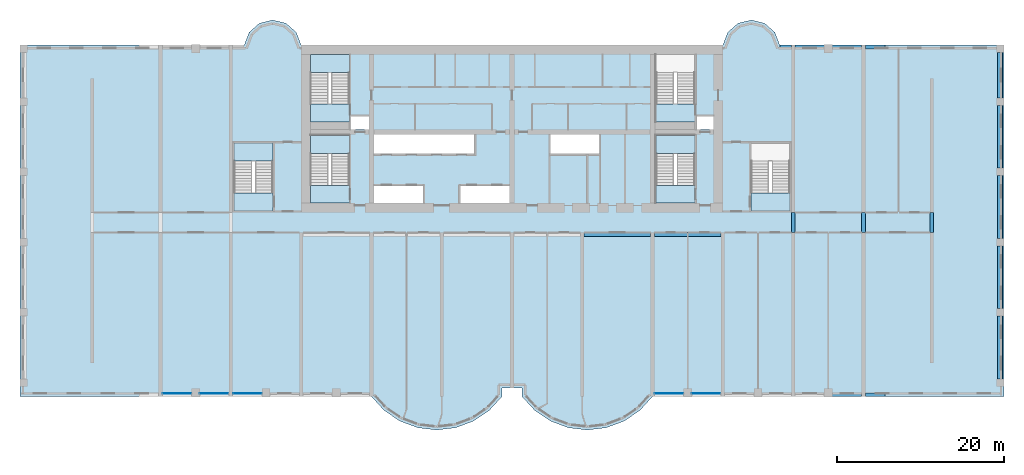
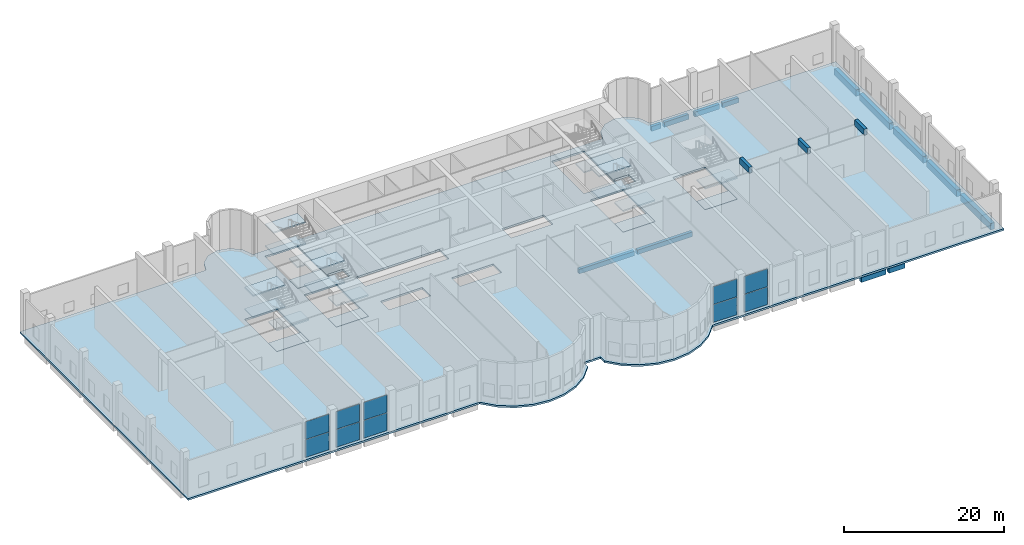
# One storey, part 5 of 15: 20 slabs, 16 beams, 10 plates, 11 elements without a shape of their own.
"""IFC4 building model written with IfcOpenShell, lengths in metres."""

from ifc_helpers import new_model, si_unit, direction, frame, origin, origin_2d, place, context, subcontext, project, spatial, polyline, rectangle, outline, extrude, source, transform, mapped, material, layer, layer_set, material_profile, profile_set, type_object, element, aggregate, save


model = new_model("IFC4")

# Units and contexts
model_context = context("Model", 3, precision=1e-05, world=origin(), true_north=direction((0.0, 1.0)))
body_context = subcontext(model_context, "Body", "Model", "MODEL_VIEW")
ifc_project = project(units=[si_unit("LENGTHUNIT", "METRE"), si_unit("AREAUNIT", "SQUARE_METRE"), si_unit("VOLUMEUNIT", "CUBIC_METRE"), si_unit("PLANEANGLEUNIT", "RADIAN"), si_unit("MASSUNIT", "GRAM", prefix="KILO")], contexts=[model_context])

# Site, building, storey
site_placement = place(None, origin())
site = spatial("IfcSite", under=ifc_project, at=site_placement, CompositionType="ELEMENT")
building_placement = place(site_placement, origin())
building = spatial("IfcBuilding", under=site, at=building_placement, Name="Vanashikhar Sky Hotel", CompositionType="ELEMENT")
storey_placement = place(building_placement, frame((0.0, 0.0, 11.39990234375)))
storey = spatial("IfcBuildingStorey", under=building, at=storey_placement, Name="L02", CompositionType="ELEMENT", Elevation=11.39990234375)

# Beams
ifc_material_1 = material(Name="Concrete M50", Category="concrete")
ifc_material_profile_1 = material_profile(ifc_material_1, rectangle(XDim=0.449951171875, YDim=0.89990234375, at=origin_2d()))
ifc_profile_set_1 = profile_set([ifc_material_profile_1], Name="RC 450x900 beam Concrete M50")
beam_type_1 = type_object("IfcBeamType", Name="RC 450x900 beam Concrete M50", PredefinedType="LINTEL", material=ifc_profile_set_1)
shared_shape_1 = source(origin(), body_context, "Body", "SweptSolid", [
    extrude(rectangle(XDim=0.449951171875, YDim=0.89990234375, at=origin_2d()), origin(), (0.0, 0.0, 1.0), 2.39990234375),
])
for number, where, z_axis, x_axis, name in (
    (1, (84.0, 19.60009765625, 5.8701171875), (0.0, 1.0, 0.0), (-1.0, 0.0, 0.0), "LB-L02-XW11"),
    (2, (92.39990234375, 19.60009765625, 5.8701171875), (0.0, 1.0, 0.0), (-1.0, 0.0, 0.0), "LB-L02-XW12"),
    (3, (100.574951171875, 19.60009765625, 5.8701171875), (0.0, 1.0, 0.0), (-1.0, 0.0, 0.0), "LB-L02-XW13"),
):
    element("IfcBeam", number, at=place(storey_placement, frame(where, z_axis=z_axis, x_axis=x_axis)), inside=storey, type_object=beam_type_1, Name=name, PredefinedType="LINTEL", context=body_context, shape_type="MappedRepresentation", body=[
        mapped(shared_shape_1, transform((0.0, 0.0, 0.0), scale=1.0)),
    ])
ifc_material_profile_2 = material_profile(ifc_material_1, rectangle(XDim=0.449951171875, YDim=0.75, at=origin_2d()))
ifc_profile_set_2 = profile_set([ifc_material_profile_2], Name="RC 450x750 beam Concrete M50")
beam_type_2 = type_object("IfcBeamType", Name="RC 450x750 beam Concrete M50", PredefinedType="SPANDREL", material=ifc_profile_set_2)
shared_shape_2 = source(origin(), body_context, "Body", "SweptSolid", [
    extrude(rectangle(XDim=0.449951171875, YDim=0.75, at=origin_2d()), origin(), (0.0, 0.0, 1.0), 3.52490234375),
])
beam_1_placement = place(storey_placement, frame((84.22509765625, 41.77490234375, -0.65478515625), z_axis=(1.0, 0.0, 0.0), x_axis=(0.0, 1.0, 0.0)))
element("IfcBeam", 4, at=beam_1_placement, inside=storey, type_object=beam_type_2, Name="EB-L02-R05", PredefinedType="SPANDREL", context=body_context, shape_type="MappedRepresentation", body=[
    mapped(shared_shape_2, transform((0.0, 0.0, 0.0), scale=1.0)),
])
shared_shape_3 = source(origin(), body_context, "Body", "SweptSolid", [
    extrude(rectangle(XDim=0.449951171875, YDim=0.75, at=origin_2d()), origin(), (0.0, 0.0, 1.0), 3.525146484375),
])
for number, where, z_axis, x_axis, name in (
    (5, (88.64990234375, 0.22509765625, -0.65478515625), (1.0, 0.0, 0.0), (0.0, 1.0, 0.0), "EB-L02-F13"),
    (6, (88.64990234375, 41.77490234375, -0.65478515625), (1.0, 0.0, 0.0), (0.0, 1.0, 0.0), "EB-L02-R06"),
):
    element("IfcBeam", number, at=place(storey_placement, frame(where, z_axis=z_axis, x_axis=x_axis)), inside=storey, type_object=beam_type_2, Name=name, PredefinedType="SPANDREL", context=body_context, shape_type="MappedRepresentation", body=[
        mapped(shared_shape_3, transform((0.0, 0.0, 0.0), scale=1.0)),
    ])
ifc_material_profile_3 = material_profile(ifc_material_1, rectangle(XDim=0.449951171875, YDim=0.75, at=origin_2d()))
ifc_profile_set_3 = profile_set([ifc_material_profile_3], Name="RC 450x750 cantilever beam Concrete M50")
beam_type_3 = type_object("IfcBeamType", Name="RC 450x750 cantilever beam Concrete M50", PredefinedType="SPANDREL", material=ifc_profile_set_3)
shared_shape_4 = source(origin(), body_context, "Body", "SweptSolid", [
    extrude(rectangle(XDim=0.449951171875, YDim=0.75, at=origin_2d()), origin(), (0.0, 0.0, 1.0), 2.330078125),
])
for number, where, z_axis, x_axis, name in (
    (7, (92.625, 0.22509765625, -0.65478515625), (1.0, 0.0, 0.0), (0.0, 1.0, 0.0), "EB-L02-F14"),
    (8, (92.625, 41.77490234375, -0.65478515625), (1.0, 0.0, 0.0), (0.0, 1.0, 0.0), "EB-L02-R08"),
):
    element("IfcBeam", number, at=place(storey_placement, frame(where, z_axis=z_axis, x_axis=x_axis)), inside=storey, type_object=beam_type_3, Name=name, PredefinedType="SPANDREL", context=body_context, shape_type="MappedRepresentation", body=[
        mapped(shared_shape_4, transform((0.0, 0.0, 0.0), scale=1.0)),
    ])
shared_shape_5 = source(origin(), body_context, "Body", "SweptSolid", [
    extrude(rectangle(XDim=0.449951171875, YDim=0.75, at=origin_2d()), origin(), (0.0, 0.0, 1.0), 1.375),
])
beam_2_placement = place(storey_placement, frame((82.39990234375, 41.77490234375, -0.65478515625), z_axis=(1.0, 0.0, 0.0), x_axis=(0.0, 1.0, 0.0)))
element("IfcBeam", 9, at=beam_2_placement, inside=storey, type_object=beam_type_3, Name="EB-L02-R07", PredefinedType="SPANDREL", context=body_context, shape_type="MappedRepresentation", body=[
    mapped(shared_shape_5, transform((0.0, 0.0, 0.0), scale=1.0)),
])
ifc_material_profile_4 = material_profile(ifc_material_1, rectangle(XDim=0.449951171875, YDim=0.699951171875, at=origin_2d()))
ifc_profile_set_4 = profile_set([ifc_material_profile_4], Name="RC 450x700 beam Concrete M50")
beam_type_4 = type_object("IfcBeamType", Name="RC 450x700 beam Concrete M50", PredefinedType="BEAM", material=ifc_profile_set_4)
shared_shape_6 = source(origin(), body_context, "Body", "SweptSolid", [
    extrude(rectangle(XDim=0.449951171875, YDim=0.699951171875, at=origin_2d()), origin(), (0.0, 0.0, 1.0), 7.949951171875),
])
beam_3_placement = place(storey_placement, frame((67.425048828125, 19.375, -0.6298828125), z_axis=(1.0, 0.0, 0.0), x_axis=(0.0, 1.0, 0.0)))
element("IfcBeam", 10, at=beam_3_placement, inside=storey, type_object=beam_type_4, Name="CB-L02-06", PredefinedType="BEAM", context=body_context, shape_type="MappedRepresentation", body=[
    mapped(shared_shape_6, transform((0.0, 0.0, 0.0), scale=1.0)),
])
shared_shape_7 = source(origin(), body_context, "Body", "SweptSolid", [
    extrude(rectangle(XDim=0.449951171875, YDim=0.699951171875, at=origin_2d()), origin(), (0.0, 0.0, 1.0), 7.9501953125),
])
beam_4_placement = place(storey_placement, frame((59.02490234375, 19.375, -0.6298828125), z_axis=(1.0, 0.0, 0.0), x_axis=(0.0, 1.0, 0.0)))
element("IfcBeam", 11, at=beam_4_placement, inside=storey, type_object=beam_type_4, Name="CB-L02-05", PredefinedType="BEAM", context=body_context, shape_type="MappedRepresentation", body=[
    mapped(shared_shape_7, transform((0.0, 0.0, 0.0), scale=1.0)),
])
ifc_material_profile_5 = material_profile(ifc_material_1, rectangle(XDim=0.60009765625, YDim=1.0, at=origin_2d()))
ifc_profile_set_5 = profile_set([ifc_material_profile_5], Name="RC 600x1000 beam Concrete M50")
beam_type_5 = type_object("IfcBeamType", Name="RC 600x1000 beam Concrete M50", PredefinedType="SPANDREL", material=ifc_profile_set_5)
shared_shape_8 = source(origin(), body_context, "Body", "SweptSolid", [
    extrude(rectangle(XDim=0.60009765625, YDim=1.0, at=origin_2d()), origin(), (0.0, 0.0, 1.0), 7.5),
])
for number, where, z_axis, x_axis, name in (
    (12, (108.75, 2.10009765625, -0.77978515625), (0.0, 1.0, 0.0), (-1.0, 0.0, 0.0), "EB-L02-A201"),
    (13, (108.75, 10.5, -0.77978515625), (0.0, 1.0, 0.0), (-1.0, 0.0, 0.0), "EB-L02-A202"),
    (14, (108.75, 18.89990234375, -0.77978515625), (0.0, 1.0, 0.0), (-1.0, 0.0, 0.0), "EB-L02-A203"),
    (15, (108.75, 27.300048828125, -0.77978515625), (0.0, 1.0, 0.0), (-1.0, 0.0, 0.0), "EB-L02-A204"),
):
    element("IfcBeam", number, at=place(storey_placement, frame(where, z_axis=z_axis, x_axis=x_axis)), inside=storey, type_object=beam_type_5, Name=name, PredefinedType="SPANDREL", context=body_context, shape_type="MappedRepresentation", body=[
        mapped(shared_shape_8, transform((0.0, 0.0, 0.0), scale=1.0)),
    ])
shared_shape_9 = source(origin(), body_context, "Body", "SweptSolid", [
    extrude(rectangle(XDim=0.60009765625, YDim=1.0, at=origin_2d()), origin(), (0.0, 0.0, 1.0), 5.400146484375),
])
beam_5_placement = place(storey_placement, frame((108.75, 35.699951171875, -0.77978515625), z_axis=(0.0, 1.0, 0.0), x_axis=(-1.0, 0.0, 0.0)))
element("IfcBeam", 16, at=beam_5_placement, inside=storey, type_object=beam_type_5, Name="EB-L02-A205", PredefinedType="SPANDREL", context=body_context, shape_type="MappedRepresentation", body=[
    mapped(shared_shape_9, transform((0.0, 0.0, 0.0), scale=1.0)),
])

# Slab
ifc_material_2 = material(Name="Concrete M40", Category="concrete")
ifc_layer_1 = layer(ifc_material_2, 0.280029296875)
ifc_layer_set_1 = layer_set([ifc_layer_1], Name="Floor slab 280 mm")
slab_type_1 = type_object("IfcSlabType", Name="Floor slab 280 mm", PredefinedType="FLOOR", material=ifc_layer_set_1)
shared_shape_10 = source(origin(), body_context, "Body", "SweptSolid", [
    extrude(outline(polyline([(49.199951171875, 0.0), (49.199951171875, 1.0), (51.60009765625, 1.0), (51.60009765625, 0.0), (53.133056640625, -1.674072265625), (55.01708984375, -2.94189453125), (57.14599609375, -3.73193359375), (59.39990234375, -4.0), (61.654052734375, -3.73193359375), (63.782958984375, -2.94189453125), (65.6669921875, -1.674072265625), (67.199951171875, 0.0), (109.199951171875, 0.0), (109.199951171875, 42.0), (82.39990234375, 42.0), (81.81494140625, 43.527099609375), (80.587890625, 44.610107421875), (79.0, 45.0), (77.412109375, 44.610107421875), (76.18505859375, 43.527099609375), (75.60009765625, 42.0), (25.199951171875, 42.0), (24.614990234375, 43.527099609375), (23.387939453125, 44.610107421875), (21.800048828125, 45.0), (20.2119140625, 44.610107421875), (18.985107421875, 43.527099609375), (18.39990234375, 42.0), (-8.39990234375, 42.0), (-8.39990234375, 0.0), (33.60009765625, 0.0), (35.133056640625, -1.674072265625), (37.01708984375, -2.94189453125), (39.14599609375, -3.73193359375), (41.39990234375, -4.0), (43.654052734375, -3.73193359375), (45.782958984375, -2.94189453125), (47.6669921875, -1.674072265625), (49.199951171875, 0.0)]), holes=[polyline([(33.300048828125, 33.60009765625), (31.050048828125, 33.60009765625), (31.050048828125, 31.89990234375), (33.300048828125, 31.89990234375), (33.300048828125, 33.60009765625)]), polyline([(33.89990234375, 25.199951171875), (33.89990234375, 23.10009765625), (39.89990234375, 23.10009765625), (39.89990234375, 25.199951171875), (33.89990234375, 25.199951171875)]), polyline([(33.89990234375, 31.300048828125), (33.89990234375, 29.0), (45.89990234375, 29.0), (45.89990234375, 31.300048828125), (33.89990234375, 31.300048828125)]), polyline([(44.10009765625, 25.199951171875), (44.10009765625, 23.10009765625), (50.10009765625, 23.10009765625), (50.10009765625, 25.199951171875), (44.10009765625, 25.199951171875)]), polyline([(54.89990234375, 31.300048828125), (54.89990234375, 29.0), (60.89990234375, 29.0), (60.89990234375, 31.300048828125), (54.89990234375, 31.300048828125)]), polyline([(74.5, 33.60009765625), (72.35009765625, 33.60009765625), (72.35009765625, 31.89990234375), (74.5, 31.89990234375), (74.5, 33.60009765625)]), polyline([(30.949951171875, 23.10009765625), (30.949951171875, 31.199951171875), (26.300048828125, 31.199951171875), (26.300048828125, 23.10009765625), (30.949951171875, 23.10009765625)]), polyline([(72.25, 23.10009765625), (72.25, 31.199951171875), (67.60009765625, 31.199951171875), (67.60009765625, 23.10009765625), (72.25, 23.10009765625)]), polyline([(30.949951171875, 32.800048828125), (30.949951171875, 40.89990234375), (26.300048828125, 40.89990234375), (26.300048828125, 32.800048828125), (30.949951171875, 32.800048828125)]), polyline([(72.25, 32.800048828125), (72.25, 40.89990234375), (67.60009765625, 40.89990234375), (67.60009765625, 32.800048828125), (72.25, 32.800048828125)]), polyline([(83.60009765625, 22.199951171875), (83.60009765625, 30.300048828125), (78.949951171875, 30.300048828125), (78.949951171875, 22.199951171875), (83.60009765625, 22.199951171875)]), polyline([(21.85009765625, 22.199951171875), (21.85009765625, 30.300048828125), (17.199951171875, 30.300048828125), (17.199951171875, 22.199951171875), (21.85009765625, 22.199951171875)])]), origin(), (0.0, 0.0, 1.0), 0.27978515625),
])
slab_1_placement = place(storey_placement, frame((0.0, 0.0, -0.27978515625)))
element("IfcSlab", 17, at=slab_1_placement, inside=storey, type_object=slab_type_1, Name="Floor slab L02", PredefinedType="FLOOR", context=body_context, shape_type="MappedRepresentation", body=[
    mapped(shared_shape_10, transform((0.0, 0.0, 0.0), scale=1.0)),
])

# Curtain wall, plates
ifc_material_3 = material(Name="Glass", Category="glass")
ifc_layer_2 = layer(ifc_material_3, 0.159912109375)
ifc_layer_set_2 = layer_set([ifc_layer_2], Name="Ballroom foyer curtain wall")
curtain_wall_type = type_object("IfcCurtainWallType", Name="Ballroom foyer curtain wall", PredefinedType="NOTDEFINED", material=ifc_layer_set_2)
curtain_wall_1_placement = place(storey_placement, origin())
curtain_wall_1 = element("IfcCurtainWall", 18, at=curtain_wall_1_placement, inside=storey, type_object=curtain_wall_type, Name="Ballroom foyer curtain wall", PredefinedType="NOTDEFINED")
ifc_layer_3 = layer(ifc_material_3, 0.028076171875)
ifc_layer_set_3 = layer_set([ifc_layer_3], Name="Podium curtain wall panel 28")
plate_type = type_object("IfcPlateType", Name="Podium curtain wall panel 28", PredefinedType="CURTAIN_PANEL", material=ifc_layer_set_3)
shared_shape_11 = source(origin(), body_context, "Body", "SweptSolid", [
    extrude(rectangle(XDim=3.405029296875, YDim=0.028076171875, at=origin_2d()), origin(), (0.0, 0.0, 1.0), 2.695068359375),
])
plate_1_placement = place(storey_placement, frame((69.1875, 0.375, 0.06005859375), z_axis=(0.0, 0.0, 1.0), x_axis=(1.0, 0.0, 0.0)))
plate_1 = element("IfcPlate", 19, at=plate_1_placement, type_object=plate_type, Name="CW-3.201 panel 1.1", PredefinedType="CURTAIN_PANEL", context=body_context, shape_type="MappedRepresentation", body=[
    mapped(shared_shape_11, transform((0.0, 0.0, 0.0), scale=1.0)),
])
plate_2_placement = place(storey_placement, frame((69.1875, 0.375, 2.81494140625), z_axis=(0.0, 0.0, 1.0), x_axis=(1.0, 0.0, 0.0)))
plate_2 = element("IfcPlate", 20, at=plate_2_placement, type_object=plate_type, Name="CW-3.201 panel 1.2", PredefinedType="CURTAIN_PANEL", context=body_context, shape_type="MappedRepresentation", body=[
    mapped(shared_shape_11, transform((0.0, 0.0, 0.0), scale=1.0)),
])
aggregate(curtain_wall_1, [plate_1, plate_2])

curtain_wall_2_placement = place(storey_placement, origin())
curtain_wall_2 = element("IfcCurtainWall", 21, at=curtain_wall_2_placement, inside=storey, type_object=curtain_wall_type, Name="Ballroom foyer curtain wall", PredefinedType="NOTDEFINED")
plate_3_placement = place(storey_placement, frame((73.612548828125, 0.375, 0.06005859375), z_axis=(0.0, 0.0, 1.0), x_axis=(1.0, 0.0, 0.0)))
plate_3 = element("IfcPlate", 22, at=plate_3_placement, type_object=plate_type, Name="CW-3.202 panel 1.1", PredefinedType="CURTAIN_PANEL", context=body_context, shape_type="MappedRepresentation", body=[
    mapped(shared_shape_11, transform((0.0, 0.0, 0.0), scale=1.0)),
])
plate_4_placement = place(storey_placement, frame((73.612548828125, 0.375, 2.81494140625), z_axis=(0.0, 0.0, 1.0), x_axis=(1.0, 0.0, 0.0)))
plate_4 = element("IfcPlate", 23, at=plate_4_placement, type_object=plate_type, Name="CW-3.202 panel 1.2", PredefinedType="CURTAIN_PANEL", context=body_context, shape_type="MappedRepresentation", body=[
    mapped(shared_shape_11, transform((0.0, 0.0, 0.0), scale=1.0)),
])
aggregate(curtain_wall_2, [plate_3, plate_4])

curtain_wall_3_placement = place(storey_placement, origin())
curtain_wall_3 = element("IfcCurtainWall", 24, at=curtain_wall_3_placement, inside=storey, type_object=curtain_wall_type, Name="Ballroom foyer curtain wall", PredefinedType="NOTDEFINED")
plate_5_placement = place(storey_placement, frame((10.387451171875, 0.375, 0.06005859375), z_axis=(0.0, 0.0, 1.0), x_axis=(1.0, 0.0, 0.0)))
plate_5 = element("IfcPlate", 25, at=plate_5_placement, type_object=plate_type, Name="CW-3.203 panel 1.1", PredefinedType="CURTAIN_PANEL", context=body_context, shape_type="MappedRepresentation", body=[
    mapped(shared_shape_11, transform((0.0, 0.0, 0.0), scale=1.0)),
])
plate_6_placement = place(storey_placement, frame((10.387451171875, 0.375, 2.81494140625), z_axis=(0.0, 0.0, 1.0), x_axis=(1.0, 0.0, 0.0)))
plate_6 = element("IfcPlate", 26, at=plate_6_placement, type_object=plate_type, Name="CW-3.203 panel 1.2", PredefinedType="CURTAIN_PANEL", context=body_context, shape_type="MappedRepresentation", body=[
    mapped(shared_shape_11, transform((0.0, 0.0, 0.0), scale=1.0)),
])
aggregate(curtain_wall_3, [plate_5, plate_6])

curtain_wall_4_placement = place(storey_placement, origin())
curtain_wall_4 = element("IfcCurtainWall", 27, at=curtain_wall_4_placement, inside=storey, type_object=curtain_wall_type, Name="Ballroom foyer curtain wall", PredefinedType="NOTDEFINED")
plate_7_placement = place(storey_placement, frame((14.8125, 0.375, 0.06005859375), z_axis=(0.0, 0.0, 1.0), x_axis=(1.0, 0.0, 0.0)))
plate_7 = element("IfcPlate", 28, at=plate_7_placement, type_object=plate_type, Name="CW-3.204 panel 1.1", PredefinedType="CURTAIN_PANEL", context=body_context, shape_type="MappedRepresentation", body=[
    mapped(shared_shape_11, transform((0.0, 0.0, 0.0), scale=1.0)),
])
plate_8_placement = place(storey_placement, frame((14.8125, 0.375, 2.81494140625), z_axis=(0.0, 0.0, 1.0), x_axis=(1.0, 0.0, 0.0)))
plate_8 = element("IfcPlate", 29, at=plate_8_placement, type_object=plate_type, Name="CW-3.204 panel 1.2", PredefinedType="CURTAIN_PANEL", context=body_context, shape_type="MappedRepresentation", body=[
    mapped(shared_shape_11, transform((0.0, 0.0, 0.0), scale=1.0)),
])
aggregate(curtain_wall_4, [plate_7, plate_8])

curtain_wall_5_placement = place(storey_placement, origin())
curtain_wall_5 = element("IfcCurtainWall", 30, at=curtain_wall_5_placement, inside=storey, type_object=curtain_wall_type, Name="Ballroom foyer curtain wall", PredefinedType="NOTDEFINED")
plate_9_placement = place(storey_placement, frame((18.78759765625, 0.375, 0.06005859375), z_axis=(0.0, 0.0, 1.0), x_axis=(1.0, 0.0, 0.0)))
plate_9 = element("IfcPlate", 31, at=plate_9_placement, type_object=plate_type, Name="CW-3.205 panel 1.1", PredefinedType="CURTAIN_PANEL", context=body_context, shape_type="MappedRepresentation", body=[
    mapped(shared_shape_11, transform((0.0, 0.0, 0.0), scale=1.0)),
])
plate_10_placement = place(storey_placement, frame((18.78759765625, 0.375, 2.81494140625), z_axis=(0.0, 0.0, 1.0), x_axis=(1.0, 0.0, 0.0)))
plate_10 = element("IfcPlate", 32, at=plate_10_placement, type_object=plate_type, Name="CW-3.205 panel 1.2", PredefinedType="CURTAIN_PANEL", context=body_context, shape_type="MappedRepresentation", body=[
    mapped(shared_shape_11, transform((0.0, 0.0, 0.0), scale=1.0)),
])
aggregate(curtain_wall_5, [plate_9, plate_10])

# Stair, slabs
stair_type = type_object("IfcStairType", Name="Exit stair 2150", PredefinedType="DOUBLE_RETURN_STAIR", material=ifc_material_2)
stair_1_placement = place(storey_placement, origin())
stair_1 = element("IfcStair", 33, at=stair_1_placement, inside=storey, type_object=stair_type, Name="L02 Exit stair 1", PredefinedType="DOUBLE_RETURN_STAIR")
ifc_layer_4 = layer(ifc_material_2, 0.199951171875)
ifc_layer_set_4 = layer_set([ifc_layer_4], Name="Stair landing 200")
slab_type_2 = type_object("IfcSlabType", Name="Stair landing 200", PredefinedType="LANDING", material=ifc_layer_set_4)
shared_shape_12 = source(origin(), body_context, "Body", "SweptSolid", [
    extrude(outline(polyline([(30.949951171875, 29.050048828125), (30.949951171875, 31.199951171875), (26.300048828125, 31.199951171875), (26.300048828125, 29.050048828125), (30.949951171875, 29.050048828125)])), origin(), (0.0, 0.0, 1.0), 0.199951171875),
])
slab_2_placement = place(storey_placement, frame((0.0, 0.0, 1.4501953125)))
slab_2 = element("IfcSlab", 34, at=slab_2_placement, type_object=slab_type_2, Name="ST-C1 landing 1", PredefinedType="LANDING", context=body_context, shape_type="MappedRepresentation", body=[
    mapped(shared_shape_12, transform((0.0, 0.0, 0.0), scale=1.0)),
])
shared_shape_13 = source(origin(), body_context, "Body", "SweptSolid", [
    extrude(outline(polyline([(30.949951171875, 23.10009765625), (30.949951171875, 25.25), (26.300048828125, 25.25), (26.300048828125, 23.10009765625), (30.949951171875, 23.10009765625)])), origin(), (0.0, 0.0, 1.0), 0.199951171875),
])
slab_3_placement = place(storey_placement, frame((0.0, 0.0, 3.10009765625)))
slab_3 = element("IfcSlab", 35, at=slab_3_placement, type_object=slab_type_2, Name="ST-C1 landing 2", PredefinedType="LANDING", context=body_context, shape_type="MappedRepresentation", body=[
    mapped(shared_shape_13, transform((0.0, 0.0, 0.0), scale=1.0)),
])
shared_shape_14 = source(origin(), body_context, "Body", "SweptSolid", [
    extrude(outline(polyline([(30.949951171875, 29.050048828125), (30.949951171875, 31.199951171875), (26.300048828125, 31.199951171875), (26.300048828125, 29.050048828125), (30.949951171875, 29.050048828125)])), origin(), (0.0, 0.0, 1.0), 0.2001953125),
])
slab_4_placement = place(storey_placement, frame((0.0, 0.0, 4.75)))
slab_4 = element("IfcSlab", 36, at=slab_4_placement, type_object=slab_type_2, Name="ST-C1 landing 3", PredefinedType="LANDING", context=body_context, shape_type="MappedRepresentation", body=[
    mapped(shared_shape_14, transform((0.0, 0.0, 0.0), scale=1.0)),
])
aggregate(stair_1, [slab_2, slab_3, slab_4])

# Slab
ifc_layer_5 = layer(ifc_material_2, 0.280029296875)
ifc_layer_set_5 = layer_set([ifc_layer_5], Name="Stair floor landing 280")
slab_type_3 = type_object("IfcSlabType", Name="Stair floor landing 280", PredefinedType="LANDING", material=ifc_layer_set_5)
shared_shape_15 = source(origin(), body_context, "Body", "SweptSolid", [
    extrude(outline(polyline([(30.949951171875, 23.10009765625), (30.949951171875, 25.25), (26.300048828125, 25.25), (26.300048828125, 23.10009765625), (30.949951171875, 23.10009765625)])), origin(), (0.0, 0.0, 1.0), 0.27978515625),
])
slab_5_placement = place(storey_placement, frame((0.0, 0.0, -0.27978515625)))
element("IfcSlab", 37, at=slab_5_placement, inside=storey, type_object=slab_type_3, Name="Exit stair 1 floor landing", PredefinedType="LANDING", context=body_context, shape_type="MappedRepresentation", body=[
    mapped(shared_shape_15, transform((0.0, 0.0, 0.0), scale=1.0)),
])

# Stair, slabs
stair_2_placement = place(storey_placement, origin())
stair_2 = element("IfcStair", 38, at=stair_2_placement, inside=storey, type_object=stair_type, Name="L02 Exit stair 2", PredefinedType="DOUBLE_RETURN_STAIR")
shared_shape_16 = source(origin(), body_context, "Body", "SweptSolid", [
    extrude(outline(polyline([(72.25, 29.050048828125), (72.25, 31.199951171875), (67.60009765625, 31.199951171875), (67.60009765625, 29.050048828125), (72.25, 29.050048828125)])), origin(), (0.0, 0.0, 1.0), 0.199951171875),
])
slab_6_placement = place(storey_placement, frame((0.0, 0.0, 1.4501953125)))
slab_6 = element("IfcSlab", 39, at=slab_6_placement, type_object=slab_type_2, Name="ST-C2 landing 1", PredefinedType="LANDING", context=body_context, shape_type="MappedRepresentation", body=[
    mapped(shared_shape_16, transform((0.0, 0.0, 0.0), scale=1.0)),
])
shared_shape_17 = source(origin(), body_context, "Body", "SweptSolid", [
    extrude(outline(polyline([(72.25, 23.10009765625), (72.25, 25.25), (67.60009765625, 25.25), (67.60009765625, 23.10009765625), (72.25, 23.10009765625)])), origin(), (0.0, 0.0, 1.0), 0.199951171875),
])
slab_7_placement = place(storey_placement, frame((0.0, 0.0, 3.10009765625)))
slab_7 = element("IfcSlab", 40, at=slab_7_placement, type_object=slab_type_2, Name="ST-C2 landing 2", PredefinedType="LANDING", context=body_context, shape_type="MappedRepresentation", body=[
    mapped(shared_shape_17, transform((0.0, 0.0, 0.0), scale=1.0)),
])
shared_shape_18 = source(origin(), body_context, "Body", "SweptSolid", [
    extrude(outline(polyline([(72.25, 29.050048828125), (72.25, 31.199951171875), (67.60009765625, 31.199951171875), (67.60009765625, 29.050048828125), (72.25, 29.050048828125)])), origin(), (0.0, 0.0, 1.0), 0.2001953125),
])
slab_8_placement = place(storey_placement, frame((0.0, 0.0, 4.75)))
slab_8 = element("IfcSlab", 41, at=slab_8_placement, type_object=slab_type_2, Name="ST-C2 landing 3", PredefinedType="LANDING", context=body_context, shape_type="MappedRepresentation", body=[
    mapped(shared_shape_18, transform((0.0, 0.0, 0.0), scale=1.0)),
])
aggregate(stair_2, [slab_6, slab_7, slab_8])

# Slab
shared_shape_19 = source(origin(), body_context, "Body", "SweptSolid", [
    extrude(outline(polyline([(72.25, 23.10009765625), (72.25, 25.25), (67.60009765625, 25.25), (67.60009765625, 23.10009765625), (72.25, 23.10009765625)])), origin(), (0.0, 0.0, 1.0), 0.27978515625),
])
slab_9_placement = place(storey_placement, frame((0.0, 0.0, -0.27978515625)))
element("IfcSlab", 42, at=slab_9_placement, inside=storey, type_object=slab_type_3, Name="Exit stair 2 floor landing", PredefinedType="LANDING", context=body_context, shape_type="MappedRepresentation", body=[
    mapped(shared_shape_19, transform((0.0, 0.0, 0.0), scale=1.0)),
])

# Stair, slabs
stair_3_placement = place(storey_placement, origin())
stair_3 = element("IfcStair", 43, at=stair_3_placement, inside=storey, type_object=stair_type, Name="L02 Exit stair 3", PredefinedType="DOUBLE_RETURN_STAIR")
shared_shape_20 = source(origin(), body_context, "Body", "SweptSolid", [
    extrude(outline(polyline([(21.85009765625, 28.14990234375), (21.85009765625, 30.300048828125), (17.199951171875, 30.300048828125), (17.199951171875, 28.14990234375), (21.85009765625, 28.14990234375)])), origin(), (0.0, 0.0, 1.0), 0.199951171875),
])
slab_10_placement = place(storey_placement, frame((0.0, 0.0, 1.4501953125)))
slab_10 = element("IfcSlab", 44, at=slab_10_placement, type_object=slab_type_2, Name="ST-W landing 1", PredefinedType="LANDING", context=body_context, shape_type="MappedRepresentation", body=[
    mapped(shared_shape_20, transform((0.0, 0.0, 0.0), scale=1.0)),
])
shared_shape_21 = source(origin(), body_context, "Body", "SweptSolid", [
    extrude(outline(polyline([(21.85009765625, 22.199951171875), (21.85009765625, 24.35009765625), (17.199951171875, 24.35009765625), (17.199951171875, 22.199951171875), (21.85009765625, 22.199951171875)])), origin(), (0.0, 0.0, 1.0), 0.199951171875),
])
slab_11_placement = place(storey_placement, frame((0.0, 0.0, 3.10009765625)))
slab_11 = element("IfcSlab", 45, at=slab_11_placement, type_object=slab_type_2, Name="ST-W landing 2", PredefinedType="LANDING", context=body_context, shape_type="MappedRepresentation", body=[
    mapped(shared_shape_21, transform((0.0, 0.0, 0.0), scale=1.0)),
])
shared_shape_22 = source(origin(), body_context, "Body", "SweptSolid", [
    extrude(outline(polyline([(21.85009765625, 28.14990234375), (21.85009765625, 30.300048828125), (17.199951171875, 30.300048828125), (17.199951171875, 28.14990234375), (21.85009765625, 28.14990234375)])), origin(), (0.0, 0.0, 1.0), 0.2001953125),
])
slab_12_placement = place(storey_placement, frame((0.0, 0.0, 4.75)))
slab_12 = element("IfcSlab", 46, at=slab_12_placement, type_object=slab_type_2, Name="ST-W landing 3", PredefinedType="LANDING", context=body_context, shape_type="MappedRepresentation", body=[
    mapped(shared_shape_22, transform((0.0, 0.0, 0.0), scale=1.0)),
])
aggregate(stair_3, [slab_10, slab_11, slab_12])

# Slab
shared_shape_23 = source(origin(), body_context, "Body", "SweptSolid", [
    extrude(outline(polyline([(21.85009765625, 22.199951171875), (21.85009765625, 24.35009765625), (17.199951171875, 24.35009765625), (17.199951171875, 22.199951171875), (21.85009765625, 22.199951171875)])), origin(), (0.0, 0.0, 1.0), 0.27978515625),
])
slab_13_placement = place(storey_placement, frame((0.0, 0.0, -0.27978515625)))
element("IfcSlab", 47, at=slab_13_placement, inside=storey, type_object=slab_type_3, Name="Exit stair 3 floor landing", PredefinedType="LANDING", context=body_context, shape_type="MappedRepresentation", body=[
    mapped(shared_shape_23, transform((0.0, 0.0, 0.0), scale=1.0)),
])

# Stair, slab
stair_4_placement = place(storey_placement, origin())
stair_4 = element("IfcStair", 48, at=stair_4_placement, inside=storey, type_object=stair_type, Name="L02 Exit stair 4", PredefinedType="DOUBLE_RETURN_STAIR")
shared_shape_24 = source(origin(), body_context, "Body", "SweptSolid", [
    extrude(outline(polyline([(83.60009765625, 22.199951171875), (83.60009765625, 24.35009765625), (78.949951171875, 24.35009765625), (78.949951171875, 22.199951171875), (83.60009765625, 22.199951171875)])), origin(), (0.0, 0.0, 1.0), 0.199951171875),
])
slab_14_placement = place(storey_placement, frame((0.0, 0.0, 3.10009765625)))
slab_14 = element("IfcSlab", 49, at=slab_14_placement, type_object=slab_type_2, Name="ST-E landing 2", PredefinedType="LANDING", context=body_context, shape_type="MappedRepresentation", body=[
    mapped(shared_shape_24, transform((0.0, 0.0, 0.0), scale=1.0)),
])
aggregate(stair_4, [slab_14])

# Slab
shared_shape_25 = source(origin(), body_context, "Body", "SweptSolid", [
    extrude(outline(polyline([(83.60009765625, 22.199951171875), (83.60009765625, 24.35009765625), (78.949951171875, 24.35009765625), (78.949951171875, 22.199951171875), (83.60009765625, 22.199951171875)])), origin(), (0.0, 0.0, 1.0), 0.27978515625),
])
slab_15_placement = place(storey_placement, frame((0.0, 0.0, -0.27978515625)))
element("IfcSlab", 50, at=slab_15_placement, inside=storey, type_object=slab_type_3, Name="Exit stair 4 floor landing", PredefinedType="LANDING", context=body_context, shape_type="MappedRepresentation", body=[
    mapped(shared_shape_25, transform((0.0, 0.0, 0.0), scale=1.0)),
])

# Stair, slabs
stair_5_placement = place(storey_placement, origin())
stair_5 = element("IfcStair", 51, at=stair_5_placement, inside=storey, type_object=stair_type, Name="L02 Exit stair 5", PredefinedType="DOUBLE_RETURN_STAIR")
shared_shape_26 = source(origin(), body_context, "Body", "SweptSolid", [
    extrude(outline(polyline([(30.949951171875, 38.75), (30.949951171875, 40.89990234375), (26.300048828125, 40.89990234375), (26.300048828125, 38.75), (30.949951171875, 38.75)])), origin(), (0.0, 0.0, 1.0), 0.199951171875),
])
slab_16_placement = place(storey_placement, frame((0.0, 0.0, 1.4501953125)))
slab_16 = element("IfcSlab", 52, at=slab_16_placement, type_object=slab_type_2, Name="ST-C3 landing 1", PredefinedType="LANDING", context=body_context, shape_type="MappedRepresentation", body=[
    mapped(shared_shape_26, transform((0.0, 0.0, 0.0), scale=1.0)),
])
shared_shape_27 = source(origin(), body_context, "Body", "SweptSolid", [
    extrude(outline(polyline([(30.949951171875, 32.800048828125), (30.949951171875, 34.949951171875), (26.300048828125, 34.949951171875), (26.300048828125, 32.800048828125), (30.949951171875, 32.800048828125)])), origin(), (0.0, 0.0, 1.0), 0.199951171875),
])
slab_17_placement = place(storey_placement, frame((0.0, 0.0, 3.10009765625)))
slab_17 = element("IfcSlab", 53, at=slab_17_placement, type_object=slab_type_2, Name="ST-C3 landing 2", PredefinedType="LANDING", context=body_context, shape_type="MappedRepresentation", body=[
    mapped(shared_shape_27, transform((0.0, 0.0, 0.0), scale=1.0)),
])
shared_shape_28 = source(origin(), body_context, "Body", "SweptSolid", [
    extrude(outline(polyline([(30.949951171875, 38.75), (30.949951171875, 40.89990234375), (26.300048828125, 40.89990234375), (26.300048828125, 38.75), (30.949951171875, 38.75)])), origin(), (0.0, 0.0, 1.0), 0.2001953125),
])
slab_18_placement = place(storey_placement, frame((0.0, 0.0, 4.75)))
slab_18 = element("IfcSlab", 54, at=slab_18_placement, type_object=slab_type_2, Name="ST-C3 landing 3", PredefinedType="LANDING", context=body_context, shape_type="MappedRepresentation", body=[
    mapped(shared_shape_28, transform((0.0, 0.0, 0.0), scale=1.0)),
])
aggregate(stair_5, [slab_16, slab_17, slab_18])

# Slab
shared_shape_29 = source(origin(), body_context, "Body", "SweptSolid", [
    extrude(outline(polyline([(30.949951171875, 32.800048828125), (30.949951171875, 34.949951171875), (26.300048828125, 34.949951171875), (26.300048828125, 32.800048828125), (30.949951171875, 32.800048828125)])), origin(), (0.0, 0.0, 1.0), 0.27978515625),
])
slab_19_placement = place(storey_placement, frame((0.0, 0.0, -0.27978515625)))
element("IfcSlab", 55, at=slab_19_placement, inside=storey, type_object=slab_type_3, Name="Exit stair 5 floor landing", PredefinedType="LANDING", context=body_context, shape_type="MappedRepresentation", body=[
    mapped(shared_shape_29, transform((0.0, 0.0, 0.0), scale=1.0)),
])

# Stair, slab
stair_6_placement = place(storey_placement, origin())
stair_6 = element("IfcStair", 56, at=stair_6_placement, inside=storey, type_object=stair_type, Name="L02 Exit stair 6", PredefinedType="DOUBLE_RETURN_STAIR")
shared_shape_30 = source(origin(), body_context, "Body", "SweptSolid", [
    extrude(outline(polyline([(72.25, 32.800048828125), (72.25, 34.949951171875), (67.60009765625, 34.949951171875), (67.60009765625, 32.800048828125), (72.25, 32.800048828125)])), origin(), (0.0, 0.0, 1.0), 0.199951171875),
])
slab_20_placement = place(storey_placement, frame((0.0, 0.0, 3.10009765625)))
slab_20 = element("IfcSlab", 57, at=slab_20_placement, type_object=slab_type_2, Name="ST-C4 landing 2", PredefinedType="LANDING", context=body_context, shape_type="MappedRepresentation", body=[
    mapped(shared_shape_30, transform((0.0, 0.0, 0.0), scale=1.0)),
])
aggregate(stair_6, [slab_20])

save(model, "model.ifc")
